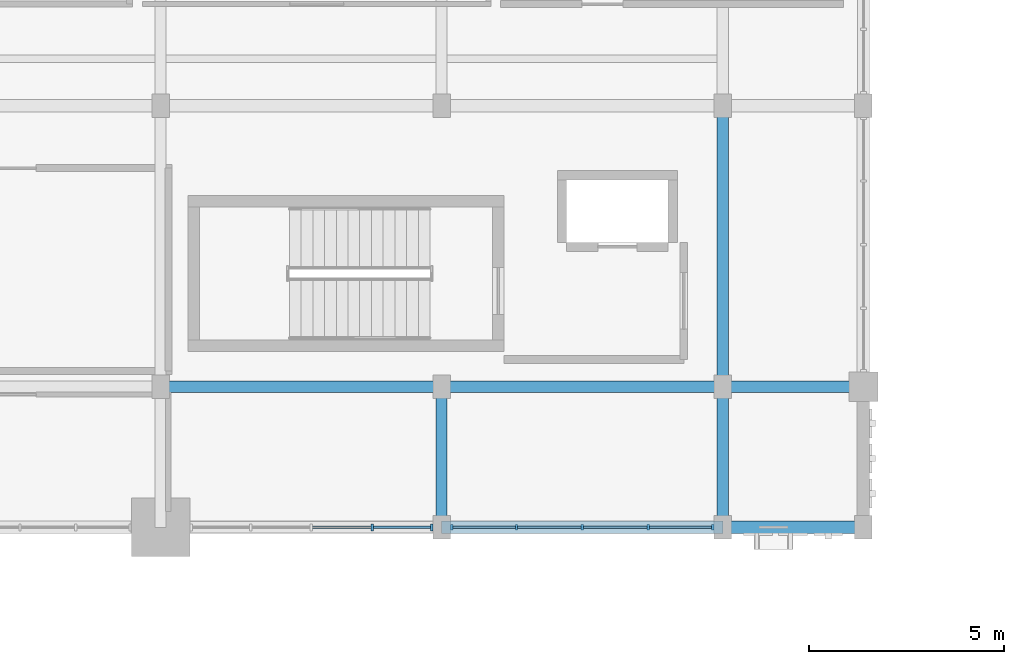
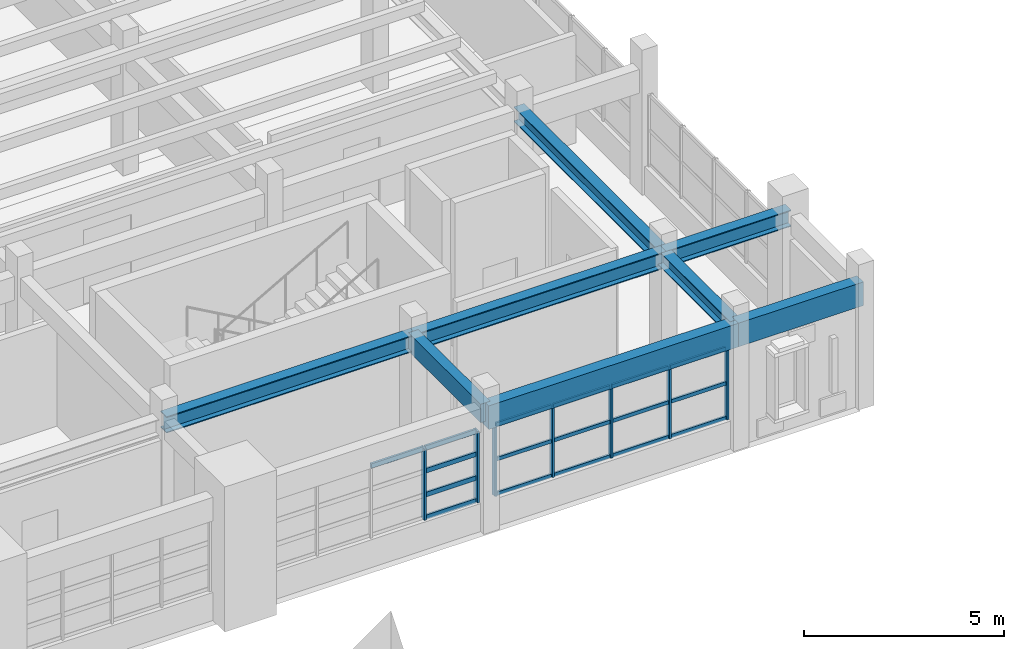
# One storey, part 13 of 69: 24 members, 8 beams, 2 elements without a shape of their own.
"""IFC4 building model written with IfcOpenShell, lengths in metres."""

from ifc_helpers import new_model, si_unit, direction, frame, origin, origin_2d, place, context, subcontext, project, spatial, rectangle, i_section, extrude, material, material_profile, profile_set, type_object, element, aggregate, save


model = new_model("IFC4")

# Units and contexts
model_context = context("Model", 3, precision=1e-05, world=origin(), true_north=direction((0.0, 1.0)))
body_context = subcontext(model_context, "Body", "Model", "MODEL_VIEW")
ifc_project = project(units=[si_unit("LENGTHUNIT", "METRE"), si_unit("AREAUNIT", "SQUARE_METRE"), si_unit("VOLUMEUNIT", "CUBIC_METRE"), si_unit("PLANEANGLEUNIT", "RADIAN"), si_unit("MASSUNIT", "GRAM", prefix="KILO")], contexts=[model_context])

# Site, building, storey
site_placement = place(None, origin())
site = spatial("IfcSite", under=ifc_project, at=site_placement, CompositionType="ELEMENT")
building_placement = place(site_placement, origin())
building = spatial("IfcBuilding", under=site, at=building_placement, Name="Nzembalo Square Collegiate School", CompositionType="ELEMENT")
storey_placement = place(building_placement, frame((0.0, 0.0, 5.10009765625)))
storey = spatial("IfcBuildingStorey", under=building, at=storey_placement, Name="L01", CompositionType="ELEMENT", Elevation=5.10009765625)

# Beams
ifc_material_1 = material(Name="Glulam GL32h", Category="wood")
ifc_material_profile_1 = material_profile(ifc_material_1, rectangle(XDim=0.320068359375, YDim=0.719970703125, at=origin_2d()), Name="GL32h 320x720")
ifc_profile_set_1 = profile_set([ifc_material_profile_1], Name="Glulam GL32h")
beam_type_1 = type_object("IfcBeamType", Name="B03", PredefinedType="BEAM", material=ifc_profile_set_1)
beam_1_placement = place(storey_placement, frame((30.0, 79.199951171875, 3.389892578125), z_axis=(1.0, 0.0, 0.0), x_axis=(0.0, 1.0, 0.0)))
element("IfcBeam", 1, at=beam_1_placement, inside=storey, type_object=beam_type_1, Name="Beam B03 L01", PredefinedType="BEAM", context=body_context, shape_type="SweptSolid", body=[
    extrude(rectangle(XDim=0.320068359375, YDim=0.719970703125, at=origin_2d()), origin(), (0.0, 0.0, 1.0), 7.199951171875),
])
beam_2_placement = place(storey_placement, frame((37.199951171875, 79.199951171875, 3.389892578125), z_axis=(1.0, 0.0, 0.0), x_axis=(0.0, 1.0, 0.0)))
element("IfcBeam", 2, at=beam_2_placement, inside=storey, type_object=beam_type_1, Name="Beam B03 L01", PredefinedType="BEAM", context=body_context, shape_type="SweptSolid", body=[
    extrude(rectangle(XDim=0.320068359375, YDim=0.719970703125, at=origin_2d()), origin(), (0.0, 0.0, 1.0), 3.60009765625),
])
ifc_material_2 = material(Name="Glulam GL28h", Category="wood")
ifc_material_profile_2 = material_profile(ifc_material_2, rectangle(XDim=0.280029296875, YDim=0.56005859375, at=origin_2d()), Name="GL28h 280x560")
ifc_profile_set_2 = profile_set([ifc_material_profile_2], Name="Glulam GL28h")
beam_type_2 = type_object("IfcBeamType", Name="B05", PredefinedType="BEAM", material=ifc_profile_set_2)
beam_3_placement = place(storey_placement, frame((30.0, 79.199951171875, 3.469970703125), z_axis=(0.0, 1.0, 0.0), x_axis=(-1.0, 0.0, 0.0)))
element("IfcBeam", 3, at=beam_3_placement, inside=storey, type_object=beam_type_2, Name="Beam B05 L01", PredefinedType="BEAM", context=body_context, shape_type="SweptSolid", body=[
    extrude(rectangle(XDim=0.280029296875, YDim=0.56005859375, at=origin_2d()), origin(), (0.0, 0.0, 1.0), 3.60009765625),
])
ifc_material_3 = material(Name="Steel S355", Category="steel")
ifc_material_profile_3 = material_profile(ifc_material_3, i_section(OverallWidth=0.300048828125, OverallDepth=0.5, WebThickness=0.014404296875, FlangeThickness=0.028076171875, at=origin_2d()), Name="HEB 500")
ifc_profile_set_3 = profile_set([ifc_material_profile_3], Name="Steel S355")
beam_type_3 = type_object("IfcBeamType", Name="B07", PredefinedType="BEAM", material=ifc_profile_set_3)
for number, where, z_axis, x_axis, name in (
    (4, (22.800048828125, 82.800048828125, 3.5), (1.0, 0.0, 0.0), (0.0, 1.0, 0.0), "Beam B07 L01"),
    (5, (30.0, 82.800048828125, 3.5), (1.0, 0.0, 0.0), (0.0, 1.0, 0.0), "Beam B07 L01"),
):
    element("IfcBeam", number, at=place(storey_placement, frame(where, z_axis=z_axis, x_axis=x_axis)), inside=storey, type_object=beam_type_3, Name=name, PredefinedType="BEAM", context=body_context, shape_type="SweptSolid", body=[
        extrude(i_section(OverallWidth=0.300048828125, OverallDepth=0.5, WebThickness=0.014404296875, FlangeThickness=0.028076171875, at=origin_2d()), origin(), (0.0, 0.0, 1.0), 7.199951171875),
    ])
beam_4_placement = place(storey_placement, frame((37.199951171875, 82.800048828125, 3.5), z_axis=(1.0, 0.0, 0.0), x_axis=(0.0, 1.0, 0.0)))
element("IfcBeam", 6, at=beam_4_placement, inside=storey, type_object=beam_type_3, Name="Beam B07 L01", PredefinedType="BEAM", context=body_context, shape_type="SweptSolid", body=[
    extrude(i_section(OverallWidth=0.300048828125, OverallDepth=0.5, WebThickness=0.014404296875, FlangeThickness=0.028076171875, at=origin_2d()), origin(), (0.0, 0.0, 1.0), 3.60009765625),
])
ifc_material_4 = material(Name="Steel S355", Category="steel")
ifc_material_profile_4 = material_profile(ifc_material_4, i_section(OverallWidth=0.300048828125, OverallDepth=0.449951171875, WebThickness=0.013916015625, FlangeThickness=0.02587890625, at=origin_2d()), Name="HEB 450")
ifc_profile_set_4 = profile_set([ifc_material_profile_4], Name="Steel S355")
beam_type_4 = type_object("IfcBeamType", Name="B08", PredefinedType="BEAM", material=ifc_profile_set_4)
beam_5_placement = place(storey_placement, frame((37.199951171875, 79.199951171875, 3.52490234375), z_axis=(0.0, 1.0, 0.0), x_axis=(-1.0, 0.0, 0.0)))
element("IfcBeam", 7, at=beam_5_placement, inside=storey, type_object=beam_type_4, Name="Beam B08 L01", PredefinedType="BEAM", context=body_context, shape_type="SweptSolid", body=[
    extrude(i_section(OverallWidth=0.300048828125, OverallDepth=0.449951171875, WebThickness=0.013916015625, FlangeThickness=0.02587890625, at=origin_2d()), origin(), (0.0, 0.0, 1.0), 3.60009765625),
])
beam_6_placement = place(storey_placement, frame((37.199951171875, 82.800048828125, 3.52490234375), z_axis=(0.0, 1.0, 0.0), x_axis=(-1.0, 0.0, 0.0)))
element("IfcBeam", 8, at=beam_6_placement, inside=storey, type_object=beam_type_4, Name="Beam B08 L01", PredefinedType="BEAM", context=body_context, shape_type="SweptSolid", body=[
    extrude(i_section(OverallWidth=0.300048828125, OverallDepth=0.449951171875, WebThickness=0.013916015625, FlangeThickness=0.02587890625, at=origin_2d()), origin(), (0.0, 0.0, 1.0), 7.199951171875),
])

# Curtain wall, members
ifc_material_5 = material(Name="Aluminium 6060-T66", Category="aluminium")
curtain_wall_type_1 = type_object("IfcCurtainWallType", Name="CW-02", PredefinedType="USERDEFINED", material=ifc_material_5)
curtain_wall_1_placement = place(storey_placement, origin())
curtain_wall_1 = element("IfcCurtainWall", 9, at=curtain_wall_1_placement, inside=storey, type_object=curtain_wall_type_1, Name="Curtain wall CW-02 cw:L01:065", ObjectType="UNITISED", PredefinedType="USERDEFINED")
ifc_material_6 = material(Name="Aluminium 6060-T66", Category="aluminium")
ifc_material_profile_5 = material_profile(ifc_material_6, rectangle(XDim=0.06005859375, YDim=0.179931640625, at=origin_2d()), Name="ALU M60x180")
ifc_profile_set_5 = profile_set([ifc_material_profile_5], Name="Aluminium 6060-T66")
member_type_1 = type_object("IfcMemberType", Name="ML01", PredefinedType="MULLION", material=ifc_profile_set_5)
member_1_placement = place(storey_placement, frame((28.2177734375, 79.199951171875, 0.849853515625), z_axis=(0.0, 0.0, 1.0), x_axis=(1.0, 0.0, 0.0)))
member_1 = element("IfcMember", 10, at=member_1_placement, type_object=member_type_1, Name="ML01 mullion 4", PredefinedType="MULLION", context=body_context, shape_type="SweptSolid", body=[
    extrude(rectangle(XDim=0.06005859375, YDim=0.179931640625, at=origin_2d()), origin(), (0.0, 0.0, 1.0), 2.174072265625),
])
member_2_placement = place(storey_placement, frame((29.742919921875, 79.199951171875, 0.849853515625), z_axis=(0.0, 0.0, 1.0), x_axis=(1.0, 0.0, 0.0)))
member_2 = element("IfcMember", 11, at=member_2_placement, type_object=member_type_1, Name="ML01 mullion 5", PredefinedType="MULLION", context=body_context, shape_type="SweptSolid", body=[
    extrude(rectangle(XDim=0.06005859375, YDim=0.179931640625, at=origin_2d()), origin(), (0.0, 0.0, 1.0), 2.174072265625),
])

ifc_material_7 = material(Name="Aluminium 6060-T66", Category="aluminium")
curtain_wall_type_2 = type_object("IfcCurtainWallType", Name="CW-03", PredefinedType="USERDEFINED", material=ifc_material_7)
curtain_wall_2_placement = place(storey_placement, origin())
curtain_wall_2 = element("IfcCurtainWall", 12, at=curtain_wall_2_placement, inside=storey, type_object=curtain_wall_type_2, Name="Curtain wall CW-03 cw:L01:066", ObjectType="UNITISED", PredefinedType="USERDEFINED")
ifc_material_8 = material(Name="Aluminium 6060-T66", Category="aluminium")
ifc_material_profile_6 = material_profile(ifc_material_8, rectangle(XDim=0.06005859375, YDim=0.14990234375, at=origin_2d()), Name="ALU M60x150")
ifc_profile_set_6 = profile_set([ifc_material_profile_6], Name="Aluminium 6060-T66")
member_type_2 = type_object("IfcMemberType", Name="ML02", PredefinedType="MULLION", material=ifc_profile_set_6)
member_3_placement = place(storey_placement, frame((30.257080078125, 79.199951171875, 0.849853515625), z_axis=(0.0, 0.0, 1.0), x_axis=(1.0, 0.0, 0.0)))
member_3 = element("IfcMember", 13, at=member_3_placement, type_object=member_type_2, Name="ML02 mullion 1", PredefinedType="MULLION", context=body_context, shape_type="SweptSolid", body=[
    extrude(rectangle(XDim=0.06005859375, YDim=0.14990234375, at=origin_2d()), origin(), (0.0, 0.0, 1.0), 2.174072265625),
])
member_4_placement = place(storey_placement, frame((31.91357421875, 79.199951171875, 0.849853515625), z_axis=(0.0, 0.0, 1.0), x_axis=(1.0, 0.0, 0.0)))
member_4 = element("IfcMember", 14, at=member_4_placement, type_object=member_type_2, Name="ML02 mullion 2", PredefinedType="MULLION", context=body_context, shape_type="SweptSolid", body=[
    extrude(rectangle(XDim=0.06005859375, YDim=0.14990234375, at=origin_2d()), origin(), (0.0, 0.0, 1.0), 2.174072265625),
])
member_5_placement = place(storey_placement, frame((33.60009765625, 79.199951171875, 0.849853515625), z_axis=(0.0, 0.0, 1.0), x_axis=(1.0, 0.0, 0.0)))
member_5 = element("IfcMember", 15, at=member_5_placement, type_object=member_type_2, Name="ML02 mullion 3", PredefinedType="MULLION", context=body_context, shape_type="SweptSolid", body=[
    extrude(rectangle(XDim=0.06005859375, YDim=0.14990234375, at=origin_2d()), origin(), (0.0, 0.0, 1.0), 2.174072265625),
])
member_6_placement = place(storey_placement, frame((35.28662109375, 79.199951171875, 0.849853515625), z_axis=(0.0, 0.0, 1.0), x_axis=(1.0, 0.0, 0.0)))
member_6 = element("IfcMember", 16, at=member_6_placement, type_object=member_type_2, Name="ML02 mullion 4", PredefinedType="MULLION", context=body_context, shape_type="SweptSolid", body=[
    extrude(rectangle(XDim=0.06005859375, YDim=0.14990234375, at=origin_2d()), origin(), (0.0, 0.0, 1.0), 2.174072265625),
])
member_7_placement = place(storey_placement, frame((36.943115234375, 79.199951171875, 0.849853515625), z_axis=(0.0, 0.0, 1.0), x_axis=(1.0, 0.0, 0.0)))
member_7 = element("IfcMember", 17, at=member_7_placement, type_object=member_type_2, Name="ML02 mullion 5", PredefinedType="MULLION", context=body_context, shape_type="SweptSolid", body=[
    extrude(rectangle(XDim=0.06005859375, YDim=0.14990234375, at=origin_2d()), origin(), (0.0, 0.0, 1.0), 2.174072265625),
])

# Member
ifc_material_9 = material(Name="Aluminium 6060-T66", Category="aluminium")
ifc_material_profile_7 = material_profile(ifc_material_9, rectangle(XDim=0.06005859375, YDim=0.139892578125, at=origin_2d()), Name="ALU T60x140")
ifc_profile_set_7 = profile_set([ifc_material_profile_7], Name="Aluminium 6060-T66")
member_type_3 = type_object("IfcMemberType", Name="TR01", PredefinedType="USERDEFINED", material=ifc_profile_set_7)
member_8_placement = place(storey_placement, frame((28.247802734375, 79.199951171875, 0.8798828125), z_axis=(1.0, 0.0, 0.0), x_axis=(0.0, 1.0, 0.0)))
member_8 = element("IfcMember", 18, at=member_8_placement, type_object=member_type_3, Name="TR01 transom 1-4", ObjectType="TRANSOM", PredefinedType="USERDEFINED", context=body_context, shape_type="SweptSolid", body=[
    extrude(rectangle(XDim=0.06005859375, YDim=0.139892578125, at=origin_2d()), origin(), (0.0, 0.0, 1.0), 1.465087890625),
])

member_9_placement = place(storey_placement, frame((28.247802734375, 79.199951171875, 1.574462890625), z_axis=(1.0, 0.0, 0.0), x_axis=(0.0, 1.0, 0.0)))
member_9 = element("IfcMember", 19, at=member_9_placement, type_object=member_type_3, Name="TR01 transom 2-4", ObjectType="TRANSOM", PredefinedType="USERDEFINED", context=body_context, shape_type="SweptSolid", body=[
    extrude(rectangle(XDim=0.06005859375, YDim=0.139892578125, at=origin_2d()), origin(), (0.0, 0.0, 1.0), 1.465087890625),
])

member_10_placement = place(storey_placement, frame((28.247802734375, 79.199951171875, 2.29931640625), z_axis=(1.0, 0.0, 0.0), x_axis=(0.0, 1.0, 0.0)))
member_10 = element("IfcMember", 20, at=member_10_placement, type_object=member_type_3, Name="TR01 transom 3-4", ObjectType="TRANSOM", PredefinedType="USERDEFINED", context=body_context, shape_type="SweptSolid", body=[
    extrude(rectangle(XDim=0.06005859375, YDim=0.139892578125, at=origin_2d()), origin(), (0.0, 0.0, 1.0), 1.465087890625),
])

member_11_placement = place(storey_placement, frame((26.6923828125, 79.199951171875, 2.993896484375), z_axis=(1.0, 0.0, 0.0), x_axis=(0.0, 1.0, 0.0)))
member_11 = element("IfcMember", 21, at=member_11_placement, type_object=member_type_3, Name="TR01 transom 4-3", ObjectType="TRANSOM", PredefinedType="USERDEFINED", context=body_context, shape_type="SweptSolid", body=[
    extrude(rectangle(XDim=0.06005859375, YDim=0.139892578125, at=origin_2d()), origin(), (0.0, 0.0, 1.0), 1.495361328125),
])

member_12_placement = place(storey_placement, frame((28.247802734375, 79.199951171875, 2.993896484375), z_axis=(1.0, 0.0, 0.0), x_axis=(0.0, 1.0, 0.0)))
member_12 = element("IfcMember", 22, at=member_12_placement, type_object=member_type_3, Name="TR01 transom 4-4", ObjectType="TRANSOM", PredefinedType="USERDEFINED", context=body_context, shape_type="SweptSolid", body=[
    extrude(rectangle(XDim=0.06005859375, YDim=0.139892578125, at=origin_2d()), origin(), (0.0, 0.0, 1.0), 1.465087890625),
])

aggregate(curtain_wall_1, [member_1, member_2, member_8, member_9, member_10, member_11, member_12])

ifc_material_10 = material(Name="Aluminium 6060-T66", Category="aluminium")
ifc_material_profile_8 = material_profile(ifc_material_10, rectangle(XDim=0.06005859375, YDim=0.110107421875, at=origin_2d()), Name="ALU T60x110")
ifc_profile_set_8 = profile_set([ifc_material_profile_8], Name="Aluminium 6060-T66")
member_type_4 = type_object("IfcMemberType", Name="TR02", PredefinedType="USERDEFINED", material=ifc_profile_set_8)
member_13_placement = place(storey_placement, frame((30.287109375, 79.199951171875, 0.8798828125), z_axis=(1.0, 0.0, 0.0), x_axis=(0.0, 1.0, 0.0)))
member_13 = element("IfcMember", 23, at=member_13_placement, type_object=member_type_4, Name="TR02 transom 1-1", ObjectType="TRANSOM", PredefinedType="USERDEFINED", context=body_context, shape_type="SweptSolid", body=[
    extrude(rectangle(XDim=0.06005859375, YDim=0.110107421875, at=origin_2d()), origin(), (0.0, 0.0, 1.0), 1.596435546875),
])

member_14_placement = place(storey_placement, frame((31.943603515625, 79.199951171875, 0.8798828125), z_axis=(1.0, 0.0, 0.0), x_axis=(0.0, 1.0, 0.0)))
member_14 = element("IfcMember", 24, at=member_14_placement, type_object=member_type_4, Name="TR02 transom 1-2", ObjectType="TRANSOM", PredefinedType="USERDEFINED", context=body_context, shape_type="SweptSolid", body=[
    extrude(rectangle(XDim=0.06005859375, YDim=0.110107421875, at=origin_2d()), origin(), (0.0, 0.0, 1.0), 1.62646484375),
])

member_15_placement = place(storey_placement, frame((33.6298828125, 79.199951171875, 0.8798828125), z_axis=(1.0, 0.0, 0.0), x_axis=(0.0, 1.0, 0.0)))
member_15 = element("IfcMember", 25, at=member_15_placement, type_object=member_type_4, Name="TR02 transom 1-3", ObjectType="TRANSOM", PredefinedType="USERDEFINED", context=body_context, shape_type="SweptSolid", body=[
    extrude(rectangle(XDim=0.06005859375, YDim=0.110107421875, at=origin_2d()), origin(), (0.0, 0.0, 1.0), 1.626708984375),
])

member_16_placement = place(storey_placement, frame((35.31640625, 79.199951171875, 0.8798828125), z_axis=(1.0, 0.0, 0.0), x_axis=(0.0, 1.0, 0.0)))
member_16 = element("IfcMember", 26, at=member_16_placement, type_object=member_type_4, Name="TR02 transom 1-4", ObjectType="TRANSOM", PredefinedType="USERDEFINED", context=body_context, shape_type="SweptSolid", body=[
    extrude(rectangle(XDim=0.06005859375, YDim=0.110107421875, at=origin_2d()), origin(), (0.0, 0.0, 1.0), 1.5966796875),
])

member_17_placement = place(storey_placement, frame((30.287109375, 79.199951171875, 1.93701171875), z_axis=(1.0, 0.0, 0.0), x_axis=(0.0, 1.0, 0.0)))
member_17 = element("IfcMember", 27, at=member_17_placement, type_object=member_type_4, Name="TR02 transom 2-1", ObjectType="TRANSOM", PredefinedType="USERDEFINED", context=body_context, shape_type="SweptSolid", body=[
    extrude(rectangle(XDim=0.06005859375, YDim=0.110107421875, at=origin_2d()), origin(), (0.0, 0.0, 1.0), 1.596435546875),
])

member_18_placement = place(storey_placement, frame((31.943603515625, 79.199951171875, 1.93701171875), z_axis=(1.0, 0.0, 0.0), x_axis=(0.0, 1.0, 0.0)))
member_18 = element("IfcMember", 28, at=member_18_placement, type_object=member_type_4, Name="TR02 transom 2-2", ObjectType="TRANSOM", PredefinedType="USERDEFINED", context=body_context, shape_type="SweptSolid", body=[
    extrude(rectangle(XDim=0.06005859375, YDim=0.110107421875, at=origin_2d()), origin(), (0.0, 0.0, 1.0), 1.62646484375),
])

member_19_placement = place(storey_placement, frame((33.6298828125, 79.199951171875, 1.93701171875), z_axis=(1.0, 0.0, 0.0), x_axis=(0.0, 1.0, 0.0)))
member_19 = element("IfcMember", 29, at=member_19_placement, type_object=member_type_4, Name="TR02 transom 2-3", ObjectType="TRANSOM", PredefinedType="USERDEFINED", context=body_context, shape_type="SweptSolid", body=[
    extrude(rectangle(XDim=0.06005859375, YDim=0.110107421875, at=origin_2d()), origin(), (0.0, 0.0, 1.0), 1.626708984375),
])

member_20_placement = place(storey_placement, frame((35.31640625, 79.199951171875, 1.93701171875), z_axis=(1.0, 0.0, 0.0), x_axis=(0.0, 1.0, 0.0)))
member_20 = element("IfcMember", 30, at=member_20_placement, type_object=member_type_4, Name="TR02 transom 2-4", ObjectType="TRANSOM", PredefinedType="USERDEFINED", context=body_context, shape_type="SweptSolid", body=[
    extrude(rectangle(XDim=0.06005859375, YDim=0.110107421875, at=origin_2d()), origin(), (0.0, 0.0, 1.0), 1.5966796875),
])

member_21_placement = place(storey_placement, frame((30.287109375, 79.199951171875, 2.993896484375), z_axis=(1.0, 0.0, 0.0), x_axis=(0.0, 1.0, 0.0)))
member_21 = element("IfcMember", 31, at=member_21_placement, type_object=member_type_4, Name="TR02 transom 3-1", ObjectType="TRANSOM", PredefinedType="USERDEFINED", context=body_context, shape_type="SweptSolid", body=[
    extrude(rectangle(XDim=0.06005859375, YDim=0.110107421875, at=origin_2d()), origin(), (0.0, 0.0, 1.0), 1.596435546875),
])

member_22_placement = place(storey_placement, frame((31.943603515625, 79.199951171875, 2.993896484375), z_axis=(1.0, 0.0, 0.0), x_axis=(0.0, 1.0, 0.0)))
member_22 = element("IfcMember", 32, at=member_22_placement, type_object=member_type_4, Name="TR02 transom 3-2", ObjectType="TRANSOM", PredefinedType="USERDEFINED", context=body_context, shape_type="SweptSolid", body=[
    extrude(rectangle(XDim=0.06005859375, YDim=0.110107421875, at=origin_2d()), origin(), (0.0, 0.0, 1.0), 1.62646484375),
])

member_23_placement = place(storey_placement, frame((33.6298828125, 79.199951171875, 2.993896484375), z_axis=(1.0, 0.0, 0.0), x_axis=(0.0, 1.0, 0.0)))
member_23 = element("IfcMember", 33, at=member_23_placement, type_object=member_type_4, Name="TR02 transom 3-3", ObjectType="TRANSOM", PredefinedType="USERDEFINED", context=body_context, shape_type="SweptSolid", body=[
    extrude(rectangle(XDim=0.06005859375, YDim=0.110107421875, at=origin_2d()), origin(), (0.0, 0.0, 1.0), 1.626708984375),
])

member_24_placement = place(storey_placement, frame((35.31640625, 79.199951171875, 2.993896484375), z_axis=(1.0, 0.0, 0.0), x_axis=(0.0, 1.0, 0.0)))
member_24 = element("IfcMember", 34, at=member_24_placement, type_object=member_type_4, Name="TR02 transom 3-4", ObjectType="TRANSOM", PredefinedType="USERDEFINED", context=body_context, shape_type="SweptSolid", body=[
    extrude(rectangle(XDim=0.06005859375, YDim=0.110107421875, at=origin_2d()), origin(), (0.0, 0.0, 1.0), 1.5966796875),
])

aggregate(curtain_wall_2, [member_3, member_4, member_5, member_6, member_7, member_13, member_14, member_15, member_16, member_17, member_18, member_19, member_20, member_21, member_22, member_23, member_24])

save(model, "model.ifc")
